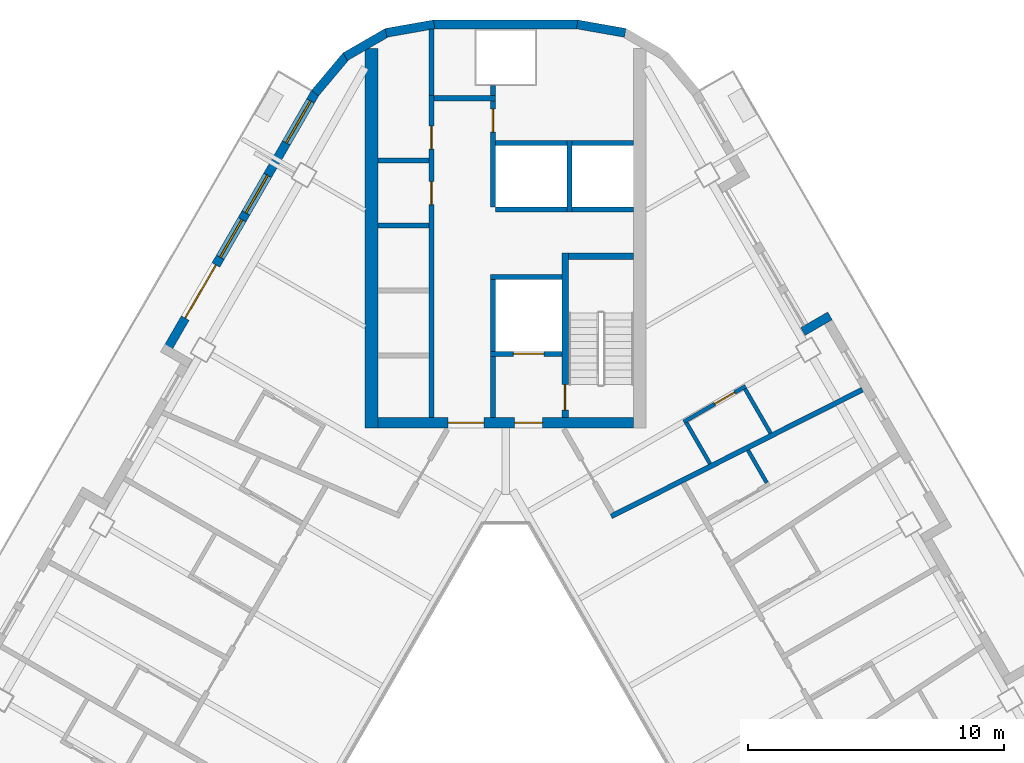
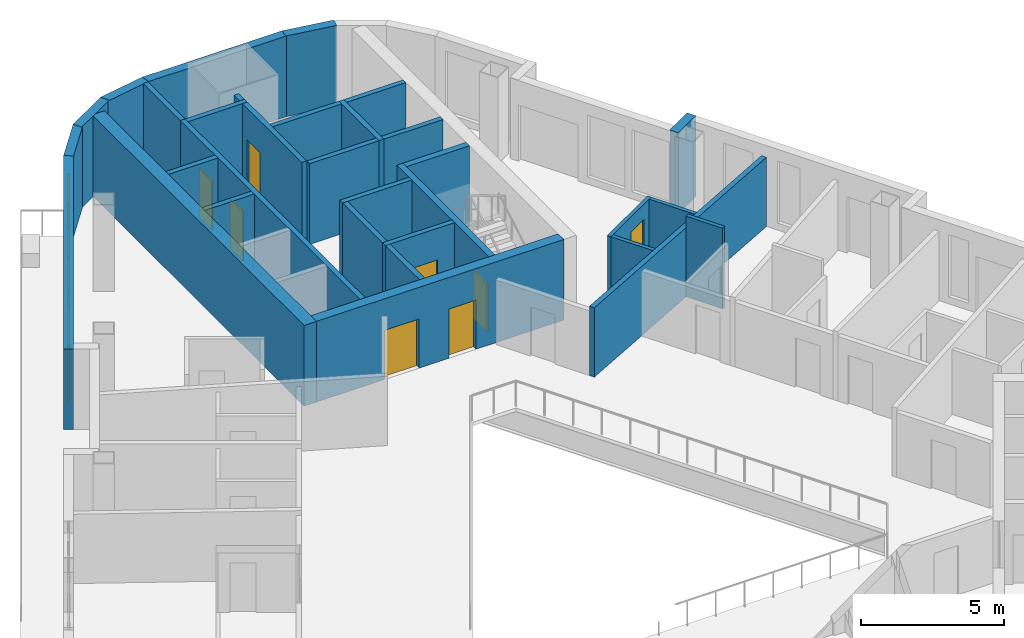
# One storey, part 7 of 14: 32 walls, 9 doors, 3 windows, 12 openings.
"""IFC4 building model written with IfcOpenShell, lengths in metres."""

from ifc_helpers import new_model, si_unit, direction, frame, frame_2d, origin, place, context, subcontext, project, spatial, rectangle, extrude, material, layer, layer_set, type_object, element, fill, save


model = new_model("IFC4")

# Units and contexts
model_context = context("Model", 3, precision=1e-05, world=origin(), true_north=direction((0.0, 1.0)))
body_context = subcontext(model_context, "Body", "Model", "MODEL_VIEW")
ifc_project = project(units=[si_unit("LENGTHUNIT", "METRE"), si_unit("AREAUNIT", "SQUARE_METRE"), si_unit("VOLUMEUNIT", "CUBIC_METRE"), si_unit("PLANEANGLEUNIT", "RADIAN"), si_unit("MASSUNIT", "GRAM", prefix="KILO")], contexts=[model_context])

# Site, building, storey
site_placement = place(None, origin())
site = spatial("IfcSite", under=ifc_project, at=site_placement, CompositionType="ELEMENT")
building_placement = place(site_placement, origin())
building = spatial("IfcBuilding", under=site, at=building_placement, Name="Apuvela Tower Hotel", CompositionType="ELEMENT")
storey_placement = place(building_placement, frame((0.0, 0.0, 228.0)))
storey = spatial("IfcBuildingStorey", under=building, at=storey_placement, Name="L56", CompositionType="ELEMENT", Elevation=228.0)

# Wall, openings, doors
ifc_material_1 = material(Name="Concrete C50/60", Category="concrete")
ifc_layer_1 = layer(ifc_material_1, 0.39990234375)
ifc_layer_set_1 = layer_set([ifc_layer_1], Name="COR-WALL-CORE-400")
wall_type_1 = type_object("IfcWallType", Name="COR-WALL-CORE-400", PredefinedType="SHEAR", material=ifc_layer_set_1)
wall_1_placement = place(storey_placement, frame((5.0, 13.10009765625, 0.0), z_axis=(0.0, 0.0, 1.0), x_axis=(-1.0, 0.0, 0.0)))
wall_1 = element("IfcWall", 1, at=wall_1_placement, inside=storey, type_object=wall_type_1, Name="Core wall N", PredefinedType="SHEAR", context=body_context, shape_type="SweptSolid", body=[
    extrude(rectangle(XDim=10.0, YDim=0.39990234375, at=frame_2d((5.0, 0.0))), origin(), (0.0, 0.0, 1.0), 3.449951171875),
])
opening_1_placement = place(wall_1_placement, frame((3.550048828125, 0.0, 0.0)))
opening_1 = element("IfcOpeningElement", 2, at=opening_1_placement, cuts=wall_1, Name="Opening N-FD", PredefinedType="OPENING", context=body_context, shape_type="SweptSolid", body=[
    extrude(rectangle(XDim=1.10009765625, YDim=2.10009765625, at=frame_2d((0.550048828125, 1.050048828125))), frame((0.0, 0.2099609375, 0.0), z_axis=(0.0, -1.0, 0.0), x_axis=(1.0, 0.0, 0.0)), (0.0, 0.0, 1.0), 0.419921875),
])
opening_2_placement = place(wall_1_placement, frame((5.85009765625, 0.0, 0.0)))
opening_2 = element("IfcOpeningElement", 3, at=opening_2_placement, cuts=wall_1, Name="Opening N-GD", PredefinedType="OPENING", context=body_context, shape_type="SweptSolid", body=[
    extrude(rectangle(XDim=1.39990234375, YDim=2.10009765625, at=frame_2d((0.699951171875, 1.050048828125))), frame((0.0, 0.2099609375, 0.0), z_axis=(0.0, -1.0, 0.0), x_axis=(1.0, 0.0, 0.0)), (0.0, 0.0, 1.0), 0.419921875),
])
ifc_material_2 = material(Name="Steel fire door, powder coated", Category="steel")
door_type_1 = type_object("IfcDoorType", Name="COR-FD-1100", OperationType="NOTDEFINED", PredefinedType="DOOR", material=ifc_material_2)
door_1_placement = place(opening_1_placement, frame((1.10009765625, 0.0, 0.0), z_axis=(0.0, 0.0, 1.0), x_axis=(-1.0, 0.0, 0.0)))
door_1 = element("IfcDoor", 4, at=door_1_placement, inside=storey, type_object=door_type_1, Name="Firefighting lobby door N-FD", OperationType="SINGLE_SWING_LEFT", OverallHeight=2.10009765625, OverallWidth=1.10009765625, PredefinedType="DOOR", context=body_context, shape_type="SweptSolid", body=[
    extrude(rectangle(XDim=1.10009765625, YDim=2.10009765625, at=frame_2d((0.550048828125, 1.050048828125))), frame((0.0, 0.02490234375, 0.0), z_axis=(0.0, -1.0, 0.0), x_axis=(1.0, 0.0, 0.0)), (0.0, 0.0, 1.0), 0.050048828125),
])
fill(opening_1, door_1)
ifc_material_3 = material(Name="Glazed steel fire door", Category="steel")
door_type_2 = type_object("IfcDoorType", Name="COR-GD-1400", OperationType="DOUBLE_DOOR_SINGLE_SWING", PredefinedType="DOOR", material=ifc_material_3)
door_2_placement = place(opening_2_placement, frame((1.39990234375, 0.0, 0.0), z_axis=(0.0, 0.0, 1.0), x_axis=(-1.0, 0.0, 0.0)))
door_2 = element("IfcDoor", 5, at=door_2_placement, inside=storey, type_object=door_type_2, Name="Lift lobby door N-GD", OperationType="DOUBLE_DOOR_SINGLE_SWING", OverallHeight=2.10009765625, OverallWidth=1.39990234375, PredefinedType="DOOR", context=body_context, shape_type="SweptSolid", body=[
    extrude(rectangle(XDim=1.39990234375, YDim=2.10009765625, at=frame_2d((0.699951171875, 1.050048828125))), frame((0.0, 0.02490234375, 0.0), z_axis=(0.0, -1.0, 0.0), x_axis=(1.0, 0.0, 0.0)), (0.0, 0.0, 1.0), 0.050048828125),
])
fill(opening_2, door_2)

# Walls
ifc_layer_2 = layer(ifc_material_1, 0.5)
ifc_layer_set_2 = layer_set([ifc_layer_2], Name="COR-WALL-CORE-500")
wall_type_2 = type_object("IfcWallType", Name="COR-WALL-CORE-500", PredefinedType="SHEAR", material=ifc_layer_set_2)
wall_2_placement = place(storey_placement, frame((-5.25, 12.89990234375, 0.0), z_axis=(0.0, 0.0, 1.0), x_axis=(0.0, 1.0, 0.0)))
element("IfcWall", 6, at=wall_2_placement, inside=storey, type_object=wall_type_2, Name="Core wall N", PredefinedType="SHEAR", context=body_context, shape_type="SweptSolid", body=[
    extrude(rectangle(XDim=14.8369140625, YDim=0.5, at=frame_2d((7.41845703125, 0.0))), origin(), (0.0, 0.0, 1.0), 3.449951171875),
])
ifc_material_4 = material(Name="Blockwork 200 mm plastered", Category="masonry")
ifc_layer_3 = layer(ifc_material_4, 0.199951171875)
ifc_layer_set_3 = layer_set([ifc_layer_3], Name="COR-WALL-PART-200")
wall_type_3 = type_object("IfcWallType", Name="COR-WALL-PART-200", PredefinedType="PARTITIONING", material=ifc_layer_set_3)
wall_3_placement = place(storey_placement, frame((5.0, 21.449951171875, 0.0), z_axis=(0.0, 0.0, 1.0), x_axis=(-1.0, 0.0, 0.0)))
element("IfcWall", 7, at=wall_3_placement, inside=storey, type_object=wall_type_3, Name="Partition N", PredefinedType="PARTITIONING", context=body_context, shape_type="SweptSolid", body=[
    extrude(rectangle(XDim=2.39990234375, YDim=0.199951171875, at=frame_2d((1.199951171875, 0.0))), origin(), (0.0, 0.0, 1.0), 3.449951171875),
])
wall_4_placement = place(storey_placement, frame((2.39990234375, 21.449951171875, 0.0), z_axis=(0.0, 0.0, 1.0), x_axis=(-1.0, 0.0, 0.0)))
element("IfcWall", 8, at=wall_4_placement, inside=storey, type_object=wall_type_3, Name="Partition N", PredefinedType="PARTITIONING", context=body_context, shape_type="SweptSolid", body=[
    extrude(rectangle(XDim=2.7998046875, YDim=0.199951171875, at=frame_2d((1.39990234375, 0.0))), origin(), (0.0, 0.0, 1.0), 3.449951171875),
])
ifc_layer_4 = layer(ifc_material_1, 0.199951171875)
ifc_layer_set_4 = layer_set([ifc_layer_4], Name="COR-WALL-SHAFT-200")
wall_type_4 = type_object("IfcWallType", Name="COR-WALL-SHAFT-200", PredefinedType="SHEAR", material=ifc_layer_set_4)
wall_5_placement = place(storey_placement, frame((2.199951171875, 18.800048828125, 0.0), z_axis=(0.0, 0.0, 1.0), x_axis=(-1.0, 0.0, 0.0)))
element("IfcWall", 9, at=wall_5_placement, inside=storey, type_object=wall_type_4, Name="Shaft wall N", PredefinedType="SHEAR", context=body_context, shape_type="SweptSolid", body=[
    extrude(rectangle(XDim=2.800048828125, YDim=0.199951171875, at=frame_2d((1.39990234375, 0.0))), origin(), (0.0, 0.0, 1.0), 3.449951171875),
])

# Wall, opening, door
wall_6_placement = place(storey_placement, frame((2.199951171875, 15.800048828125, 0.0), z_axis=(0.0, 0.0, 1.0), x_axis=(-1.0, 0.0, 0.0)))
wall_6 = element("IfcWall", 10, at=wall_6_placement, inside=storey, type_object=wall_type_4, Name="Shaft wall N", PredefinedType="SHEAR", context=body_context, shape_type="SweptSolid", body=[
    extrude(rectangle(XDim=2.800048828125, YDim=0.199951171875, at=frame_2d((1.39990234375, 0.0))), origin(), (0.0, 0.0, 1.0), 3.449951171875),
])
opening_3_placement = place(wall_6_placement, frame((0.699951171875, 0.0, 0.0)))
opening_3 = element("IfcOpeningElement", 11, at=opening_3_placement, cuts=wall_6, Name="Opening N-LD-FS1", PredefinedType="OPENING", context=body_context, shape_type="SweptSolid", body=[
    extrude(rectangle(XDim=1.199951171875, YDim=2.10009765625, at=frame_2d((0.60009765625, 1.050048828125))), frame((0.0, 0.10986328125, 0.0), z_axis=(0.0, -1.0, 0.0), x_axis=(1.0, 0.0, 0.0)), (0.0, 0.0, 1.0), 0.219970703125),
])
ifc_material_5 = material(Name="Stainless steel lift landing door", Category="steel")
door_type_3 = type_object("IfcDoorType", Name="COR-LD-1200", OperationType="DOUBLE_DOOR_SLIDING", PredefinedType="DOOR", material=ifc_material_5)
door_3_placement = place(opening_3_placement, origin())
door_3 = element("IfcDoor", 12, at=door_3_placement, inside=storey, type_object=door_type_3, Name="Lift landing door N-LD-FS1", OperationType="DOUBLE_DOOR_SLIDING", OverallHeight=2.10009765625, OverallWidth=1.199951171875, PredefinedType="DOOR", context=body_context, shape_type="SweptSolid", body=[
    extrude(rectangle(XDim=1.199951171875, YDim=2.10009765625, at=frame_2d((0.60009765625, 1.050048828125))), frame((0.0, 0.02490234375, 0.0), z_axis=(0.0, -1.0, 0.0), x_axis=(1.0, 0.0, 0.0)), (0.0, 0.0, 1.0), 0.050048828125),
])
fill(opening_3, door_3)

# Walls
wall_7_placement = place(storey_placement, frame((-0.5, 15.89990234375, 0.0), z_axis=(0.0, 0.0, 1.0), x_axis=(0.0, 1.0, 0.0)))
element("IfcWall", 13, at=wall_7_placement, inside=storey, type_object=wall_type_4, Name="Shaft wall N", PredefinedType="SHEAR", context=body_context, shape_type="SweptSolid", body=[
    extrude(rectangle(XDim=2.800048828125, YDim=0.199951171875, at=frame_2d((1.39990234375, 0.0))), origin(), (0.0, 0.0, 1.0), 3.449951171875),
])
wall_8_placement = place(storey_placement, frame((-0.5, 13.300048828125, 0.0), z_axis=(0.0, 0.0, 1.0), x_axis=(0.0, 1.0, 0.0)))
element("IfcWall", 14, at=wall_8_placement, inside=storey, type_object=wall_type_4, Name="Shaft wall N", PredefinedType="SHEAR", context=body_context, shape_type="SweptSolid", body=[
    extrude(rectangle(XDim=2.39990234375, YDim=0.199951171875, at=frame_2d((1.199951171875, 0.0))), origin(), (0.0, 0.0, 1.0), 3.449951171875),
])

# Wall, openings, doors
wall_9_placement = place(storey_placement, frame((-2.89990234375, 13.300048828125, 0.0), z_axis=(0.0, 0.0, 1.0), x_axis=(0.0, 1.0, 0.0)))
wall_9 = element("IfcWall", 15, at=wall_9_placement, inside=storey, type_object=wall_type_4, Name="Shaft wall N", PredefinedType="SHEAR", context=body_context, shape_type="SweptSolid", body=[
    extrude(rectangle(XDim=12.599853515625, YDim=0.199951171875, at=frame_2d((6.2998046875, 0.0))), origin(), (0.0, 0.0, 1.0), 3.449951171875),
])
opening_4_placement = place(wall_9_placement, frame((8.340087890625, 0.0, 0.0)))
opening_4 = element("IfcOpeningElement", 16, at=opening_4_placement, cuts=wall_9, Name="Opening N-RE4", PredefinedType="OPENING", context=body_context, shape_type="SweptSolid", body=[
    extrude(rectangle(XDim=0.89990234375, YDim=2.10009765625, at=frame_2d((0.449951171875, 1.050048828125))), frame((0.0, 0.10986328125, 0.0), z_axis=(0.0, -1.0, 0.0), x_axis=(1.0, 0.0, 0.0)), (0.0, 0.0, 1.0), 0.219970703125),
])
opening_5_placement = place(wall_9_placement, frame((10.510009765625, 0.0, 0.0)))
opening_5 = element("IfcOpeningElement", 17, at=opening_5_placement, cuts=wall_9, Name="Opening N-REP", PredefinedType="OPENING", context=body_context, shape_type="SweptSolid", body=[
    extrude(rectangle(XDim=0.89990234375, YDim=2.10009765625, at=frame_2d((0.449951171875, 1.050048828125))), frame((0.0, 0.10986328125, 0.0), z_axis=(0.0, -1.0, 0.0), x_axis=(1.0, 0.0, 0.0)), (0.0, 0.0, 1.0), 0.219970703125),
])
door_type_4 = type_object("IfcDoorType", Name="COR-DR-900", OperationType="NOTDEFINED", PredefinedType="DOOR", material=ifc_material_2)
door_4_placement = place(opening_4_placement, origin())
door_4 = element("IfcDoor", 18, at=door_4_placement, inside=storey, type_object=door_type_4, Name="Store door N-RE4", OperationType="SINGLE_SWING_LEFT", OverallHeight=2.10009765625, OverallWidth=0.89990234375, PredefinedType="DOOR", context=body_context, shape_type="SweptSolid", body=[
    extrude(rectangle(XDim=0.89990234375, YDim=2.10009765625, at=frame_2d((0.449951171875, 1.050048828125))), frame((0.0, 0.02490234375, 0.0), z_axis=(0.0, -1.0, 0.0), x_axis=(1.0, 0.0, 0.0)), (0.0, 0.0, 1.0), 0.050048828125),
])
fill(opening_4, door_4)
door_5_placement = place(opening_5_placement, origin())
door_5 = element("IfcDoor", 19, at=door_5_placement, inside=storey, type_object=door_type_4, Name="Store door N-REP", OperationType="SINGLE_SWING_RIGHT", OverallHeight=2.10009765625, OverallWidth=0.89990234375, PredefinedType="DOOR", context=body_context, shape_type="SweptSolid", body=[
    extrude(rectangle(XDim=0.89990234375, YDim=2.10009765625, at=frame_2d((0.449951171875, 1.050048828125))), frame((0.0, 0.02490234375, 0.0), z_axis=(0.0, -1.0, 0.0), x_axis=(1.0, 0.0, 0.0)), (0.0, 0.0, 1.0), 0.050048828125),
])
fill(opening_5, door_5)

# Wall
wall_10_placement = place(storey_placement, frame((-0.39990234375, 25.800048828125, 0.0), z_axis=(0.0, 0.0, 1.0), x_axis=(-1.0, 0.0, 0.0)))
element("IfcWall", 20, at=wall_10_placement, inside=storey, type_object=wall_type_4, Name="Shaft wall N", PredefinedType="SHEAR", context=body_context, shape_type="SweptSolid", body=[
    extrude(rectangle(XDim=2.400146484375, YDim=0.199951171875, at=frame_2d((1.2001953125, 0.0))), origin(), (0.0, 0.0, 1.0), 3.449951171875),
])

# Wall, opening, door
wall_11_placement = place(storey_placement, frame((-0.5, 21.550048828125, 0.0), z_axis=(0.0, 0.0, 1.0), x_axis=(0.0, 1.0, 0.0)))
wall_11 = element("IfcWall", 21, at=wall_11_placement, inside=storey, type_object=wall_type_4, Name="Shaft wall N", PredefinedType="SHEAR", context=body_context, shape_type="SweptSolid", body=[
    extrude(rectangle(XDim=4.14990234375, YDim=0.199951171875, at=frame_2d((2.074951171875, 0.0))), origin(), (0.0, 0.0, 1.0), 3.449951171875),
])
opening_6_placement = place(wall_11_placement, frame((2.925048828125, 0.0, 0.0)))
opening_6 = element("IfcOpeningElement", 22, at=opening_6_placement, cuts=wall_11, Name="Opening N-RSP", PredefinedType="OPENING", context=body_context, shape_type="SweptSolid", body=[
    extrude(rectangle(XDim=0.89990234375, YDim=2.10009765625, at=frame_2d((0.449951171875, 1.050048828125))), frame((0.0, 0.10986328125, 0.0), z_axis=(0.0, -1.0, 0.0), x_axis=(1.0, 0.0, 0.0)), (0.0, 0.0, 1.0), 0.219970703125),
])
door_6_placement = place(opening_6_placement, frame((0.89990234375, 0.0, 0.0), z_axis=(0.0, 0.0, 1.0), x_axis=(-1.0, 0.0, 0.0)))
door_6 = element("IfcDoor", 23, at=door_6_placement, inside=storey, type_object=door_type_4, Name="Store door N-RSP", OperationType="SINGLE_SWING_LEFT", OverallHeight=2.10009765625, OverallWidth=0.89990234375, PredefinedType="DOOR", context=body_context, shape_type="SweptSolid", body=[
    extrude(rectangle(XDim=0.89990234375, YDim=2.10009765625, at=frame_2d((0.449951171875, 1.050048828125))), frame((0.0, 0.02490234375, 0.0), z_axis=(0.0, -1.0, 0.0), x_axis=(1.0, 0.0, 0.0)), (0.0, 0.0, 1.0), 0.050048828125),
])
fill(opening_6, door_6)

# Walls
for number, where, z_axis, x_axis, name in (
    (24, (-3.0, 20.820068359375, 0.0), (0.0, 0.0, 1.0), (-1.0, 0.0, 0.0), "Shaft wall N"),
    (25, (-3.0, 23.360107421875, 0.0), (0.0, 0.0, 1.0), (-1.0, 0.0, 0.0), "Shaft wall N"),
):
    element("IfcWall", number, at=place(storey_placement, frame(where, z_axis=z_axis, x_axis=x_axis)), inside=storey, type_object=wall_type_4, Name=name, PredefinedType="SHEAR", context=body_context, shape_type="SweptSolid", body=[
        extrude(rectangle(XDim=2.0, YDim=0.199951171875, at=frame_2d((1.0, 0.0))), origin(), (0.0, 0.0, 1.0), 3.449951171875),
    ])
wall_12_placement = place(storey_placement, frame((-0.5, 25.89990234375, 0.0), z_axis=(0.0, 0.0, 1.0), x_axis=(0.0, 1.0, 0.0)))
element("IfcWall", 26, at=wall_12_placement, inside=storey, type_object=wall_type_4, Name="Shaft wall N", PredefinedType="SHEAR", context=body_context, shape_type="SweptSolid", body=[
    extrude(rectangle(XDim=0.400146484375, YDim=0.199951171875, at=frame_2d((0.2001953125, 0.0))), origin(), (0.0, 0.0, 1.0), 3.449951171875),
])
wall_13_placement = place(storey_placement, frame((-2.89990234375, 25.89990234375, 0.0), z_axis=(0.0, 0.0, 1.0), x_axis=(0.0, 1.0, 0.0)))
element("IfcWall", 27, at=wall_13_placement, inside=storey, type_object=wall_type_4, Name="Shaft wall N", PredefinedType="SHEAR", context=body_context, shape_type="SweptSolid", body=[
    extrude(rectangle(XDim=2.60009765625, YDim=0.199951171875, at=frame_2d((1.300048828125, 0.0))), origin(), (0.0, 0.0, 1.0), 3.449951171875),
])
wall_14_placement = place(storey_placement, frame((2.5, 21.35009765625, 0.0), z_axis=(0.0, 0.0, 1.0), x_axis=(0.0, 1.0, 0.0)))
element("IfcWall", 28, at=wall_14_placement, inside=storey, type_object=wall_type_4, Name="Shaft wall N", PredefinedType="SHEAR", context=body_context, shape_type="SweptSolid", body=[
    extrude(rectangle(XDim=2.7998046875, YDim=0.199951171875, at=frame_2d((1.39990234375, 0.0))), origin(), (0.0, 0.0, 1.0), 3.449951171875),
])
wall_15_placement = place(storey_placement, frame((5.0, 24.050048828125, 0.0), z_axis=(0.0, 0.0, 1.0), x_axis=(-1.0, 0.0, 0.0)))
element("IfcWall", 29, at=wall_15_placement, inside=storey, type_object=wall_type_4, Name="Shaft wall N", PredefinedType="SHEAR", context=body_context, shape_type="SweptSolid", body=[
    extrude(rectangle(XDim=2.39990234375, YDim=0.199951171875, at=frame_2d((1.199951171875, 0.0))), origin(), (0.0, 0.0, 1.0), 3.449951171875),
])
wall_16_placement = place(storey_placement, frame((2.39990234375, 24.050048828125, 0.0), z_axis=(0.0, 0.0, 1.0), x_axis=(-1.0, 0.0, 0.0)))
element("IfcWall", 30, at=wall_16_placement, inside=storey, type_object=wall_type_4, Name="Shaft wall N", PredefinedType="SHEAR", context=body_context, shape_type="SweptSolid", body=[
    extrude(rectangle(XDim=2.7998046875, YDim=0.199951171875, at=frame_2d((1.39990234375, 0.0))), origin(), (0.0, 0.0, 1.0), 3.449951171875),
])

# Wall, opening, door
ifc_layer_5 = layer(ifc_material_1, 0.25)
ifc_layer_set_5 = layer_set([ifc_layer_5], Name="COR-WALL-STAIR-250")
wall_type_5 = type_object("IfcWallType", Name="COR-WALL-STAIR-250", PredefinedType="SHEAR", material=ifc_layer_set_5)
wall_17_placement = place(storey_placement, frame((2.324951171875, 13.300048828125, 0.0), z_axis=(0.0, 0.0, 1.0), x_axis=(0.0, 1.0, 0.0)))
wall_17 = element("IfcWall", 31, at=wall_17_placement, inside=storey, type_object=wall_type_5, Name="Stair wall N", PredefinedType="SHEAR", context=body_context, shape_type="SweptSolid", body=[
    extrude(rectangle(XDim=6.449951171875, YDim=0.25, at=frame_2d((3.22509765625, 0.0))), origin(), (0.0, 0.0, 1.0), 3.449951171875),
])
opening_7_placement = place(wall_17_placement, frame((0.300048828125, 0.0, 0.0)))
opening_7 = element("IfcOpeningElement", 32, at=opening_7_placement, cuts=wall_17, Name="Opening N-SD", PredefinedType="OPENING", context=body_context, shape_type="SweptSolid", body=[
    extrude(rectangle(XDim=1.0, YDim=2.10009765625, at=frame_2d((0.5, 1.050048828125))), frame((0.0, 0.135009765625, 0.0), z_axis=(0.0, -1.0, 0.0), x_axis=(1.0, 0.0, 0.0)), (0.0, 0.0, 1.0), 0.27001953125),
])
door_type_5 = type_object("IfcDoorType", Name="COR-SD-1000", OperationType="NOTDEFINED", PredefinedType="DOOR", material=ifc_material_2)
door_7_placement = place(opening_7_placement, frame((1.0, 0.0, 0.0), z_axis=(0.0, 0.0, 1.0), x_axis=(-1.0, 0.0, 0.0)))
door_7 = element("IfcDoor", 33, at=door_7_placement, inside=storey, type_object=door_type_5, Name="Stair door N-SD", OperationType="SINGLE_SWING_LEFT", OverallHeight=2.10009765625, OverallWidth=1.0, PredefinedType="DOOR", context=body_context, shape_type="SweptSolid", body=[
    extrude(rectangle(XDim=1.0, YDim=2.10009765625, at=frame_2d((0.5, 1.050048828125))), frame((0.0, 0.02490234375, 0.0), z_axis=(0.0, -1.0, 0.0), x_axis=(1.0, 0.0, 0.0)), (0.0, 0.0, 1.0), 0.050048828125),
])
fill(opening_7, door_7)

# Wall
wall_18_placement = place(storey_placement, frame((5.0, 19.625, 0.0), z_axis=(0.0, 0.0, 1.0), x_axis=(-1.0, 0.0, 0.0)))
element("IfcWall", 34, at=wall_18_placement, inside=storey, type_object=wall_type_5, Name="Stair wall N", PredefinedType="SHEAR", context=body_context, shape_type="SweptSolid", body=[
    extrude(rectangle(XDim=2.550048828125, YDim=0.25, at=frame_2d((1.27490234375, 0.0))), origin(), (0.0, 0.0, 1.0), 3.449951171875),
])

# Wall, openings, door, windows
ifc_material_6 = material(Name="Concrete C40/50, dark pigmented precast panel", Category="concrete")
ifc_layer_6 = layer(ifc_material_6, 0.35009765625)
ifc_layer_set_6 = layer_set([ifc_layer_6], Name="ENV-WALL-350")
wall_type_6 = type_object("IfcWallType", Name="ENV-WALL-350", PredefinedType="SOLIDWALL", material=ifc_layer_set_6)
wall_19_placement = place(storey_placement, frame((-7.440673828125, 26.0224609375, 0.0), z_axis=(0.0, 0.0, 1.0), x_axis=(-0.499992533062, -0.86602971478, 0.0)))
wall_19 = element("IfcWall", 35, at=wall_19_placement, inside=storey, type_object=wall_type_6, Name="External wall L56-01", PredefinedType="SOLIDWALL", context=body_context, shape_type="SweptSolid", body=[
    extrude(rectangle(XDim=11.815673828125, YDim=0.35009765625, at=frame_2d((5.90771484375, 0.0))), origin(), (0.0, 0.0, 1.0), 3.449951171875),
])
opening_8_placement = place(wall_19_placement, frame((0.381103515625, 0.0, 0.300048828125)))
opening_8 = element("IfcOpeningElement", 36, at=opening_8_placement, cuts=wall_19, Name="Opening WN19", PredefinedType="OPENING", context=body_context, shape_type="SweptSolid", body=[
    extrude(rectangle(XDim=1.89990234375, YDim=2.64990234375, at=frame_2d((0.949951171875, 1.324951171875))), frame((0.0, 0.18505859375, 0.0), z_axis=(0.0, -1.0, 0.0), x_axis=(1.0, 0.0, 0.0)), (0.0, 0.0, 1.0), 0.3701171875),
])
opening_9_placement = place(wall_19_placement, frame((7.79052734375, 0.0, 0.0)))
opening_9 = element("IfcOpeningElement", 37, at=opening_9_placement, cuts=wall_19, Name="Opening BD24", PredefinedType="OPENING", context=body_context, shape_type="SweptSolid", body=[
    extrude(rectangle(XDim=2.39990234375, YDim=2.39990234375, at=frame_2d((1.199951171875, 1.199951171875))), frame((0.0, 0.18505859375, 0.0), z_axis=(0.0, -1.0, 0.0), x_axis=(1.0, 0.0, 0.0)), (0.0, 0.0, 1.0), 0.3701171875),
])
opening_10_placement = place(wall_19_placement, frame((3.7412109375, 0.0, 0.300048828125)))
opening_10 = element("IfcOpeningElement", 38, at=opening_10_placement, cuts=wall_19, Name="Opening WN17", PredefinedType="OPENING", context=body_context, shape_type="SweptSolid", body=[
    extrude(rectangle(XDim=1.699951171875, YDim=2.64990234375, at=frame_2d((0.85009765625, 1.324951171875))), frame((0.0, 0.18505859375, 0.0), z_axis=(0.0, -1.0, 0.0), x_axis=(1.0, 0.0, 0.0)), (0.0, 0.0, 1.0), 0.3701171875),
])
opening_11_placement = place(wall_19_placement, frame((5.7412109375, 0.0, 0.300048828125)))
opening_11 = element("IfcOpeningElement", 39, at=opening_11_placement, cuts=wall_19, Name="Opening WN17", PredefinedType="OPENING", context=body_context, shape_type="SweptSolid", body=[
    extrude(rectangle(XDim=1.699951171875, YDim=2.64990234375, at=frame_2d((0.85009765625, 1.324951171875))), frame((0.0, 0.18505859375, 0.0), z_axis=(0.0, -1.0, 0.0), x_axis=(1.0, 0.0, 0.0)), (0.0, 0.0, 1.0), 0.3701171875),
])
ifc_material_7 = material(Name="Aluminium 6063-T6, dark bronze anodised frame with dark tinted laminated glass", Category="aluminium")
door_type_6 = type_object("IfcDoorType", Name="ENV-DOOR-BALCONY-2400x2400", OperationType="SLIDING_TO_LEFT", PredefinedType="DOOR", material=ifc_material_7)
door_8_placement = place(opening_9_placement, frame((2.39990234375, 0.0, 0.0), z_axis=(0.0, 0.0, 1.0), x_axis=(-1.0, 0.0, 0.0)))
door_8 = element("IfcDoor", 40, at=door_8_placement, inside=storey, type_object=door_type_6, Name="Balcony door BD24", OperationType="SLIDING_TO_LEFT", OverallHeight=2.39990234375, OverallWidth=2.39990234375, PredefinedType="DOOR", context=body_context, shape_type="SweptSolid", body=[
    extrude(rectangle(XDim=2.39990234375, YDim=2.39990234375, at=frame_2d((1.199951171875, 1.199951171875))), frame((0.0, 0.02490234375, 0.0), z_axis=(0.0, -1.0, 0.0), x_axis=(1.0, 0.0, 0.0)), (0.0, 0.0, 1.0), 0.050048828125),
])
fill(opening_9, door_8)
ifc_material_8 = material(Name="Glass, dark tinted laminated insulated glazing unit", Category="glass")
window_type_1 = type_object("IfcWindowType", Name="ENV-WIN-1700x2650", PartitioningType="SINGLE_PANEL", PredefinedType="WINDOW", material=ifc_material_8)
window_1_placement = place(opening_10_placement, origin())
window_1 = element("IfcWindow", 41, at=window_1_placement, inside=storey, type_object=window_type_1, Name="Window WN17", OverallHeight=2.64990234375, OverallWidth=1.699951171875, PartitioningType="SINGLE_PANEL", PredefinedType="WINDOW", context=body_context, shape_type="SweptSolid", body=[
    extrude(rectangle(XDim=1.699951171875, YDim=2.64990234375, at=frame_2d((0.85009765625, 1.324951171875))), frame((0.0, 0.030029296875, 0.0), z_axis=(0.0, -1.0, 0.0), x_axis=(1.0, 0.0, 0.0)), (0.0, 0.0, 1.0), 0.06005859375),
])
fill(opening_10, window_1)
window_2_placement = place(opening_11_placement, origin())
window_2 = element("IfcWindow", 42, at=window_2_placement, inside=storey, type_object=window_type_1, Name="Window WN17", OverallHeight=2.64990234375, OverallWidth=1.699951171875, PartitioningType="SINGLE_PANEL", PredefinedType="WINDOW", context=body_context, shape_type="SweptSolid", body=[
    extrude(rectangle(XDim=1.699951171875, YDim=2.64990234375, at=frame_2d((0.85009765625, 1.324951171875))), frame((0.0, 0.030029296875, 0.0), z_axis=(0.0, -1.0, 0.0), x_axis=(1.0, 0.0, 0.0)), (0.0, 0.0, 1.0), 0.06005859375),
])
fill(opening_11, window_2)
window_type_2 = type_object("IfcWindowType", Name="ENV-WIN-1900x2650", PartitioningType="SINGLE_PANEL", PredefinedType="WINDOW", material=ifc_material_8)
window_3_placement = place(opening_8_placement, origin())
window_3 = element("IfcWindow", 43, at=window_3_placement, inside=storey, type_object=window_type_2, Name="Window WN19", OverallHeight=2.64990234375, OverallWidth=1.89990234375, PartitioningType="SINGLE_PANEL", PredefinedType="WINDOW", context=body_context, shape_type="SweptSolid", body=[
    extrude(rectangle(XDim=1.89990234375, YDim=2.64990234375, at=frame_2d((0.949951171875, 1.324951171875))), frame((0.0, 0.030029296875, 0.0), z_axis=(0.0, -1.0, 0.0), x_axis=(1.0, 0.0, 0.0)), (0.0, 0.0, 1.0), 0.06005859375),
])
fill(opening_8, window_3)

# Walls
wall_20_placement = place(storey_placement, frame((12.6875, 17.284423828125, 0.0), z_axis=(0.0, 0.0, 1.0), x_axis=(-0.865955602162, -0.500120880472, 0.0)))
element("IfcWall", 44, at=wall_20_placement, inside=storey, type_object=wall_type_6, Name="External wall L56-38", PredefinedType="SOLIDWALL", context=body_context, shape_type="SweptSolid", body=[
    extrude(rectangle(XDim=1.219970703125, YDim=0.35009765625, at=frame_2d((0.60986328125, 0.0))), origin(), (0.0, 0.0, 1.0), 3.449951171875),
])
wall_21_placement = place(storey_placement, frame((4.6796875, 28.35595703125, 0.0), z_axis=(0.0, 0.0, 1.0), x_axis=(-0.984798995425, 0.173697837091, 0.0)))
element("IfcWall", 45, at=wall_21_placement, inside=storey, type_object=wall_type_6, Name="External wall L56-44", PredefinedType="SOLIDWALL", context=body_context, shape_type="SweptSolid", body=[
    extrude(rectangle(XDim=1.91015625, YDim=0.35009765625, at=frame_2d((0.955078125, 0.0))), origin(), (0.0, 0.0, 1.0), 3.449951171875),
])
wall_22_placement = place(storey_placement, frame((2.8291015625, 28.68505859375, 0.0), z_axis=(0.0, 0.0, 1.0), x_axis=(-1.0, 0.0, 0.0)))
element("IfcWall", 46, at=wall_22_placement, inside=storey, type_object=wall_type_6, Name="External wall L56-45", PredefinedType="SOLIDWALL", context=body_context, shape_type="SweptSolid", body=[
    extrude(rectangle(XDim=5.658203125, YDim=0.35009765625, at=frame_2d((2.8291015625, 0.0))), origin(), (0.0, 0.0, 1.0), 3.449951171875),
])
for number, where, z_axis, x_axis, name in (
    (47, (-2.798583984375, 28.687744140625, 0.0), (0.0, 0.0, 1.0), (-0.984798995425, -0.173697837091, 0.0), "External wall L56-46"),
    (48, (-4.62255859375, 28.376708984375, 0.0), (0.0, 0.0, 1.0), (-0.866032345022, -0.499987977232, 0.0), "External wall L56-47"),
):
    element("IfcWall", number, at=place(storey_placement, frame(where, z_axis=z_axis, x_axis=x_axis)), inside=storey, type_object=wall_type_6, Name=name, PredefinedType="SOLIDWALL", context=body_context, shape_type="SweptSolid", body=[
        extrude(rectangle(XDim=1.91015625, YDim=0.35009765625, at=frame_2d((0.955078125, 0.0))), origin(), (0.0, 0.0, 1.0), 3.449951171875),
    ])
wall_23_placement = place(storey_placement, frame((-6.230224609375, 27.460693359375, 0.0), z_axis=(0.0, 0.0, 1.0), x_axis=(-0.642808304945, -0.766027077259, 0.0)))
element("IfcWall", 49, at=wall_23_placement, inside=storey, type_object=wall_type_6, Name="External wall L56-48", PredefinedType="SOLIDWALL", context=body_context, shape_type="SweptSolid", body=[
    extrude(rectangle(XDim=1.909912109375, YDim=0.35009765625, at=frame_2d((0.955078125, 0.0))), origin(), (0.0, 0.0, 1.0), 3.449951171875),
])
ifc_material_9 = material(Name="Gypsum board partition on twin steel stud", Category="steel")
ifc_layer_7 = layer(ifc_material_9, 0.199951171875)
ifc_layer_set_7 = layer_set([ifc_layer_7], Name="GST-PW1")
wall_type_7 = type_object("IfcWallType", Name="GST-PW1", PredefinedType="PARTITIONING", material=ifc_layer_set_7)
wall_24_placement = place(storey_placement, frame((13.951904296875, 14.39453125, 0.0), z_axis=(0.0, 0.0, 1.0), x_axis=(-0.892890171934, -0.450274517226, 0.0)))
element("IfcWall", 50, at=wall_24_placement, inside=storey, type_object=wall_type_7, Name="L56 partition 08", PredefinedType="PARTITIONING", context=body_context, shape_type="SweptSolid", body=[
    extrude(rectangle(XDim=10.99755859375, YDim=0.199951171875, at=frame_2d((5.498779296875, 0.0))), origin(), (0.0, 0.0, 1.0), 2.9599609375),
])
ifc_material_10 = material(Name="Moisture-resistant gypsum board wet wall on steel stud", Category="steel")
ifc_layer_8 = layer(ifc_material_10, 0.14990234375)
ifc_layer_set_8 = layer_set([ifc_layer_8], Name="GST-PW3")
wall_type_8 = type_object("IfcWallType", Name="GST-PW3", PredefinedType="PARTITIONING", material=ifc_layer_set_8)
wall_25_placement = place(storey_placement, frame((10.21630859375, 10.7548828125, 0.0), z_axis=(0.0, 0.0, 1.0), x_axis=(-0.50001473959, 0.866016893711, 0.0)))
element("IfcWall", 51, at=wall_25_placement, inside=storey, type_object=wall_type_8, Name="L56 partition 42", PredefinedType="PARTITIONING", context=body_context, shape_type="SweptSolid", body=[
    extrude(rectangle(XDim=1.47021484375, YDim=0.14990234375, at=frame_2d((0.735107421875, 0.0))), origin(), (0.0, 0.0, 1.0), 3.449951171875),
])

# Wall, opening, door
wall_26_placement = place(storey_placement, frame((9.39013671875, 14.53564453125, 0.0), z_axis=(0.0, 0.0, 1.0), x_axis=(-0.866034573852, -0.49998411664, 0.0)))
wall_26 = element("IfcWall", 52, at=wall_26_placement, inside=storey, type_object=wall_type_8, Name="L56 partition 44", PredefinedType="PARTITIONING", context=body_context, shape_type="SweptSolid", body=[
    extrude(rectangle(XDim=2.7998046875, YDim=0.14990234375, at=frame_2d((1.39990234375, 0.0))), origin(), (0.0, 0.0, 1.0), 2.760009765625),
])
opening_12_placement = place(wall_26_placement, frame((0.5, 0.0, 0.0)))
opening_12 = element("IfcOpeningElement", 53, at=opening_12_placement, cuts=wall_26, Name="Opening GD22-19", PredefinedType="OPENING", context=body_context, shape_type="SweptSolid", body=[
    extrude(rectangle(XDim=0.89990234375, YDim=2.10009765625, at=frame_2d((0.449951171875, 1.050048828125))), frame((0.0, 0.0849609375, 0.0), z_axis=(0.0, -1.0, 0.0), x_axis=(1.0, 0.0, 0.0)), (0.0, 0.0, 1.0), 0.169921875),
])
ifc_material_11 = material(Name="Timber door leaf in steel frame", Category="steel")
door_type_7 = type_object("IfcDoorType", Name="GST-D2", OperationType="NOTDEFINED", PredefinedType="DOOR", material=ifc_material_11)
door_9_placement = place(opening_12_placement, origin())
door_9 = element("IfcDoor", 54, at=door_9_placement, inside=storey, type_object=door_type_7, Name="Door L56-19", OperationType="SINGLE_SWING_LEFT", OverallHeight=2.10009765625, OverallWidth=0.89990234375, PredefinedType="DOOR", context=body_context, shape_type="SweptSolid", body=[
    extrude(rectangle(XDim=0.89990234375, YDim=2.10009765625, at=frame_2d((0.449951171875, 1.050048828125))), frame((0.0, 0.02490234375, 0.0), z_axis=(0.0, -1.0, 0.0), x_axis=(1.0, 0.0, 0.0)), (0.0, 0.0, 1.0), 0.050048828125),
])
fill(opening_12, door_9)

# Walls
wall_27_placement = place(storey_placement, frame((10.364990234375, 12.697509765625, 0.0), z_axis=(0.0, 0.0, 1.0), x_axis=(-0.500056363668, 0.86599285976, 0.0)))
element("IfcWall", 55, at=wall_27_placement, inside=storey, type_object=wall_type_8, Name="L56 partition 45", PredefinedType="PARTITIONING", context=body_context, shape_type="SweptSolid", body=[
    extrude(rectangle(XDim=2.004150390625, YDim=0.14990234375, at=frame_2d((1.001953125, 0.0))), origin(), (0.0, 0.0, 1.0), 2.760009765625),
])
wall_28_placement = place(storey_placement, frame((7.994873046875, 11.50244140625, 0.0), z_axis=(0.0, 0.0, 1.0), x_axis=(-0.4999770169, 0.866038672677, 0.0)))
element("IfcWall", 56, at=wall_28_placement, inside=storey, type_object=wall_type_8, Name="L56 partition 46", PredefinedType="PARTITIONING", context=body_context, shape_type="SweptSolid", body=[
    extrude(rectangle(XDim=1.85400390625, YDim=0.14990234375, at=frame_2d((0.927001953125, 0.0))), origin(), (0.0, 0.0, 1.0), 2.760009765625),
])

save(model, "model.ifc")
